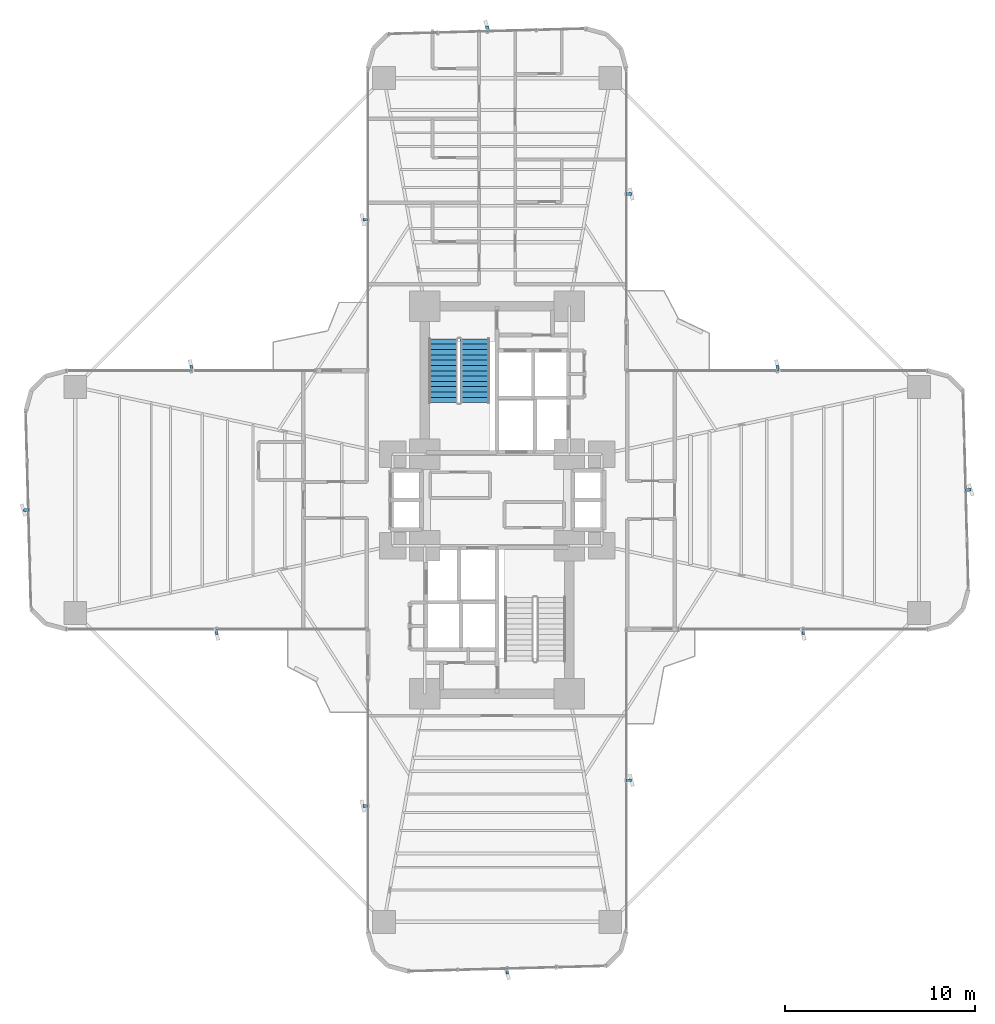
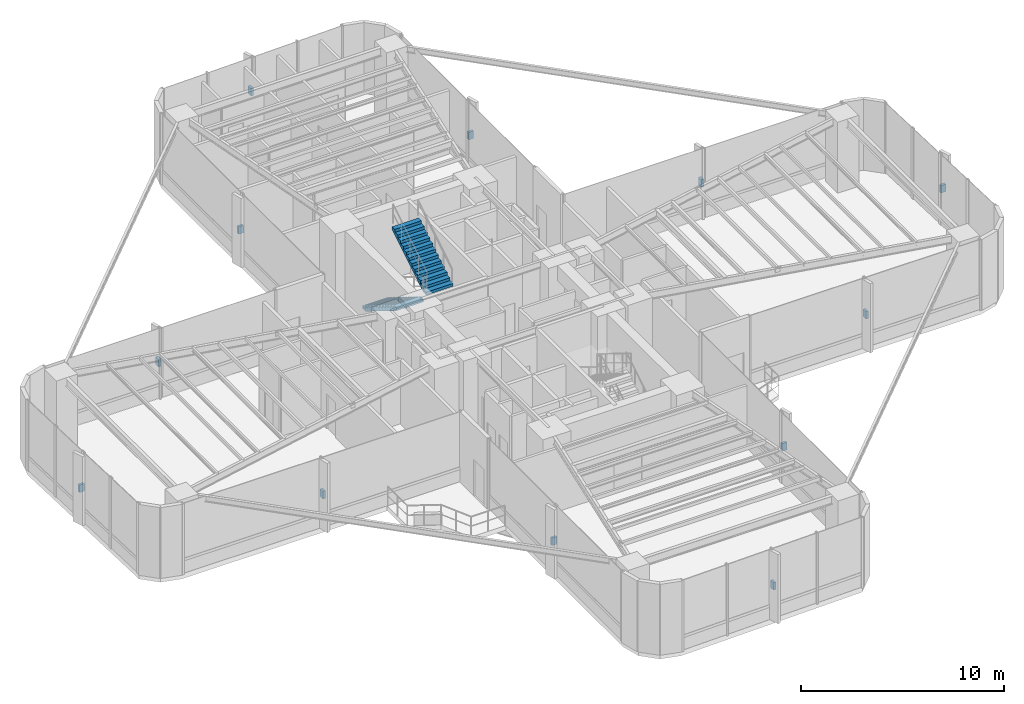
# One storey, part 19 of 20: 12 discrete accessories, 2 stair flights, 1 element without a shape of its own.
"""IFC4 building model written with IfcOpenShell, lengths in metres."""

import ifcopenshell
import ifcopenshell.guid

model = None  # the IFC model being written
_history = None  # IfcOwnerHistory: only IFC2X3 demands one
_inside = {}  # id of a spatial element -> (the spatial element, [elements in it])
_under = {}  # id of a project, library or spatial element -> (it, [spatial elements below it])
_declared = {}  # id of a project -> (the project, [libraries it declares])
_typed = {}  # id of a type object -> (the type object, [elements of that type])
_made_of = {}  # id of a material, layer set ... -> (it, [elements and type objects made of it])


def new_model(schema):
    """Start an empty IFC model of exactly this schema.

    Asked for "IFC4X3", IfcOpenShell would pick the latest addendum, in which some entities
    have other attributes; the version numbers below select the first issue.
    IFC2X3 requires an IfcOwnerHistory on every rooted entity: one is made here for all.
    """
    global model, _history
    if schema == "IFC4X3":
        model = ifcopenshell.file(schema_version=(4, 3, 0, 0))
    else:
        model = ifcopenshell.file(schema=schema)
    _inside.clear()
    _under.clear()
    _declared.clear()
    _typed.clear()
    _made_of.clear()
    _history = None
    if model.schema == "IFC2X3":
        org = make("IfcOrganization", Name="unknown")
        user = make(
            "IfcPersonAndOrganization",
            ThePerson=make("IfcPerson", FamilyName="unknown"),
            TheOrganization=org,
        )
        app = make(
            "IfcApplication",
            ApplicationDeveloper=org,
            Version="unknown",
            ApplicationFullName="unknown",
            ApplicationIdentifier="unknown",
        )
        _history = make(
            "IfcOwnerHistory",
            OwningUser=user,
            OwningApplication=app,
            ChangeAction="ADDED",
            CreationDate=0,
        )
    return model


def make(cls, **values):
    """One entity of the class cls with the attributes given. An attribute that is None is left unset."""
    return model.create_entity(
        cls, **{name: value for name, value in values.items() if value is not None}
    )


def rooted(cls, **values):
    """An entity with a GlobalId (a new one), such as an element, a storey or a relation."""
    return make(cls, GlobalId=ifcopenshell.guid.new(), OwnerHistory=_history, **values)


def si_unit(unit_type, name, prefix=None):
    """IfcSIUnit, for example si_unit("LENGTHUNIT", "METRE", prefix="MILLI")."""
    return make("IfcSIUnit", UnitType=unit_type, Prefix=prefix, Name=name)


def assignment(units):
    """IfcUnitAssignment: the units of a project."""
    return None if units is None else make("IfcUnitAssignment", Units=units)


def point(xyz):
    """IfcCartesianPoint."""
    return None if xyz is None else make("IfcCartesianPoint", Coordinates=xyz)


def direction(xyz):
    """IfcDirection."""
    return None if xyz is None else make("IfcDirection", DirectionRatios=xyz)


def frame(location, z_axis=None, x_axis=None):
    """IfcAxis2Placement3D, a coordinate frame: its origin and axes. An axis left out is left unset."""
    return make(
        "IfcAxis2Placement3D",
        Location=point(location),
        Axis=direction(z_axis),
        RefDirection=direction(x_axis),
    )


def frame_2d(location, x_axis=None):
    """IfcAxis2Placement2D, a coordinate frame in the plane: its origin and x axis."""
    return make(
        "IfcAxis2Placement2D", Location=point(location), RefDirection=direction(x_axis)
    )


def origin():
    """The frame at (0, 0, 0) with its axes left unset."""
    return frame((0.0, 0.0, 0.0))


def origin_2d():
    """The frame at (0, 0) in the plane with its x axis left unset."""
    return frame_2d((0.0, 0.0))


def place(relative_to, where):
    """IfcLocalPlacement: puts the frame where relative to a parent placement (None: the world)."""
    return make(
        "IfcLocalPlacement", PlacementRelTo=relative_to, RelativePlacement=where
    )


def context(
    kind, dimensions, precision=None, world=None, true_north=None, identifier=None
):
    """IfcGeometricRepresentationContext, for example the 3D "Model" context."""
    return make(
        "IfcGeometricRepresentationContext",
        ContextIdentifier=identifier,
        ContextType=kind,
        CoordinateSpaceDimension=dimensions,
        Precision=precision,
        WorldCoordinateSystem=world,
        TrueNorth=true_north,
    )


def subcontext(parent, identifier, kind, view, scale=None):
    """IfcGeometricRepresentationSubContext, for example "Body" below "Model"."""
    return make(
        "IfcGeometricRepresentationSubContext",
        ContextIdentifier=identifier,
        ContextType=kind,
        ParentContext=parent,
        TargetScale=scale,
        TargetView=view,
    )


def project(units=None, contexts=None):
    """IfcProject with its units and contexts."""
    return rooted(
        "IfcProject",
        Name="project",
        RepresentationContexts=contexts,
        UnitsInContext=assignment(units),
    )


def spatial(cls, under=None, at=None, **own):
    """A site, building, storey or space (cls), placed at a placement, below another one or the project."""
    s = rooted(cls, ObjectPlacement=at, **own)
    if under is not None:
        _under.setdefault(under.id(), (under, []))[1].append(s)
    return s


def polyline(points):
    """IfcPolyline through the points."""
    return make("IfcPolyline", Points=[point(p) for p in points])


def profile(cls, at=None, kind="AREA", **sizes):
    """A parametric profile (cls). Its sizes go by their IFC names, for example OverallWidth=200.0."""
    return make(cls, ProfileType=kind, Position=at, **sizes)


def rectangle(**sizes):
    """IfcRectangleProfileDef."""
    return profile("IfcRectangleProfileDef", **sizes)


def outline(outer, holes=None, kind="AREA"):
    """IfcArbitraryClosedProfileDef: a profile drawn as a closed curve; with holes, ...WithVoids."""
    if holes is None:
        return make("IfcArbitraryClosedProfileDef", ProfileType=kind, OuterCurve=outer)
    return make(
        "IfcArbitraryProfileDefWithVoids",
        ProfileType=kind,
        OuterCurve=outer,
        InnerCurves=holes,
    )


def extrude(swept, where, along, depth):
    """IfcExtrudedAreaSolid: the profile swept, set in the frame where, extruded along a direction by depth."""
    return make(
        "IfcExtrudedAreaSolid",
        SweptArea=swept,
        Position=where,
        ExtrudedDirection=direction(along),
        Depth=depth,
    )


def shape(context_of_items, identifier, shape_type, items):
    """IfcShapeRepresentation: the items that make up one representation, for example the "Body"."""
    return make(
        "IfcShapeRepresentation",
        ContextOfItems=context_of_items,
        RepresentationIdentifier=identifier,
        RepresentationType=shape_type,
        Items=items,
    )


def source(mapping_origin, context_of_items, identifier, shape_type, items):
    """IfcRepresentationMap: a shape defined once, which mapped items show again and again."""
    return make(
        "IfcRepresentationMap",
        MappingOrigin=mapping_origin,
        MappedRepresentation=shape(context_of_items, identifier, shape_type, items),
    )


def transform(
    local_origin,
    x_axis=None,
    y_axis=None,
    z_axis=None,
    scale=None,
    scale2=None,
    scale3=None,
    uniform=True,
):
    """IfcCartesianTransformationOperator3D, or its non-uniform kind. x_axis, y_axis, z_axis: its Axis1, 2, 3."""
    if uniform:
        return make(
            "IfcCartesianTransformationOperator3D",
            Axis1=direction(x_axis),
            Axis2=direction(y_axis),
            LocalOrigin=point(local_origin),
            Scale=scale,
            Axis3=direction(z_axis),
        )
    return make(
        "IfcCartesianTransformationOperator3DnonUniform",
        Axis1=direction(x_axis),
        Axis2=direction(y_axis),
        LocalOrigin=point(local_origin),
        Scale=scale,
        Axis3=direction(z_axis),
        Scale2=scale2,
        Scale3=scale3,
    )


def mapped(mapping_source, mapping_target):
    """IfcMappedItem: shows the shape of a source again, moved by a transform."""
    return make(
        "IfcMappedItem", MappingSource=mapping_source, MappingTarget=mapping_target
    )


def material(Name=None, Category=None):
    """IfcMaterial."""
    return make("IfcMaterial", Name=Name, Category=Category)


def made_of(thing, what):
    """Note that an element or type object is made of a material, layer set ...; save() writes the relation."""
    if what is not None:
        _made_of.setdefault(what.id(), (what, []))[1].append(thing)
    return thing


def type_object(cls, material=None, **own):
    """A type object (cls), such as IfcWallType, which elements share."""
    return made_of(rooted(cls, **own), material)


def element(
    cls,
    number,
    at=None,
    inside=None,
    cuts=None,
    type_object=None,
    material=None,
    context=None,
    identifier="Body",
    shape_type=None,
    held_by="IfcProductDefinitionShape",
    body=None,
    shapes=None,
    **own,
):
    """One element of the class cls, such as IfcWall. Its Tag is "e" and its number.

    at: its placement. inside: the storey or other place that contains it. cuts: it is an
    opening in that element (IfcRelVoidsElement). A single representation is given by context,
    identifier, shape_type and body (its items); several are given by shapes. held_by: the class
    of the entity that holds the representations. save() writes the other relations.
    """
    e = rooted(cls, Tag="e%d" % number, ObjectPlacement=at, **own)
    if body is not None:
        shapes = [shape(context, identifier, shape_type, body)]
    if shapes is not None:
        e.Representation = make(held_by, Representations=shapes)
    if inside is not None:
        _inside.setdefault(inside.id(), (inside, []))[1].append(e)
    if cuts is not None:
        rooted(
            "IfcRelVoidsElement", RelatingBuildingElement=cuts, RelatedOpeningElement=e
        )
    if type_object is not None:
        _typed.setdefault(type_object.id(), (type_object, []))[1].append(e)
    return made_of(e, material)


def aggregate(whole, parts):
    """IfcRelAggregates: a whole, such as a stair, and the parts it consists of."""
    return rooted("IfcRelAggregates", RelatingObject=whole, RelatedObjects=parts)


def save(model, path):
    """Write the relations noted so far, then the file.

    IfcRelAggregates (storeys below a building ...), IfcRelContainedInSpatialStructure (elements
    in a storey), IfcRelDefinesByType, IfcRelAssociatesMaterial and IfcRelDeclares: one each for
    every whole, place, type object, material and project.
    """
    for whole, parts in _under.values():
        aggregate(whole, parts)
    for where, things in _inside.values():
        rooted(
            "IfcRelContainedInSpatialStructure",
            RelatedElements=things,
            RelatingStructure=where,
        )
    for kind, things in _typed.values():
        rooted("IfcRelDefinesByType", RelatedObjects=things, RelatingType=kind)
    for what, things in _made_of.values():
        rooted("IfcRelAssociatesMaterial", RelatedObjects=things, RelatingMaterial=what)
    for by, libraries in _declared.values():
        rooted("IfcRelDeclares", RelatingContext=by, RelatedDefinitions=libraries)
    model.write(path)


model = new_model("IFC4")

# Units and contexts
model_context = context("Model", 3, precision=1e-05, world=origin(), true_north=direction((0.0, 1.0)))
body_context = subcontext(model_context, "Body", "Model", "MODEL_VIEW")
ifc_project = project(units=[si_unit("LENGTHUNIT", "METRE"), si_unit("AREAUNIT", "SQUARE_METRE"), si_unit("VOLUMEUNIT", "CUBIC_METRE"), si_unit("PLANEANGLEUNIT", "RADIAN"), si_unit("MASSUNIT", "GRAM", prefix="KILO")], contexts=[model_context])

# Site, building, storey
site_placement = place(None, origin())
site = spatial("IfcSite", under=ifc_project, at=site_placement, CompositionType="ELEMENT")
building_placement = place(site_placement, origin())
building = spatial("IfcBuilding", under=site, at=building_placement, Name="Sahyath Konkavel Grand Hotel", CompositionType="ELEMENT")
storey_placement = place(building_placement, frame((0.0, 0.0, 46.550048828125)))
storey = spatial("IfcBuildingStorey", under=building, at=storey_placement, Name="L12", CompositionType="ELEMENT", Elevation=46.550048828125)

# Stair, stair flights
ifc_material_1 = material(Name="Concrete C40/50", Category="concrete")
stair_type = type_object("IfcStairType", Name="STR-ST16-450", PredefinedType="HALF_TURN_STAIR", material=ifc_material_1)
stair_placement = place(storey_placement, origin())
stair = element("IfcStair", 1, at=stair_placement, inside=storey, type_object=stair_type, Name="L12 North Core Smokeproof Exit Stair ST-1", PredefinedType="HALF_TURN_STAIR")
stair_flight_type = type_object("IfcStairFlightType", Name="STF-ST16-450", PredefinedType="STRAIGHT", material=ifc_material_1)
stair_flight_1_placement = place(storey_placement, frame((-2.840087890625, 8.47998046875, 0.0), z_axis=(0.0, 0.0, 1.0), x_axis=(0.0, -1.0, 0.0)))
stair_flight_1 = element("IfcStairFlight", 2, at=stair_flight_1_placement, type_object=stair_flight_type, Name="ST-1 flight 1", NumberOfRisers=13, NumberOfTreads=12, PredefinedType="STRAIGHT", RiserHeight=0.173076923, TreadLength=0.28, context=body_context, shape_type="SweptSolid", body=[
    extrude(outline(polyline([(0.0, 0.0), (0.0, 0.173095703125), (0.280029296875, 0.173095703125), (0.280029296875, 0.34619140625), (0.56005859375, 0.34619140625), (0.56005859375, 0.519287109375), (0.840087890625, 0.519287109375), (0.840087890625, 0.6923828125), (1.1201171875, 0.6923828125), (1.1201171875, 0.865478515625), (1.39990234375, 0.865478515625), (1.39990234375, 1.03857421875), (1.679931640625, 1.03857421875), (1.679931640625, 1.21142578125), (1.9599609375, 1.21142578125), (1.9599609375, 1.384521484375), (2.239990234375, 1.384521484375), (2.239990234375, 1.5576171875), (2.52001953125, 1.5576171875), (2.52001953125, 1.730712890625), (2.800048828125, 1.730712890625), (2.800048828125, 1.90380859375), (3.080078125, 1.90380859375), (3.080078125, 2.076904296875), (3.360107421875, 2.076904296875), (3.360107421875, 2.25), (3.360107421875, 1.900634765625), (0.28515625, 0.0), (0.0, 0.0)])), frame((0.0, 0.760009765625, 0.0), z_axis=(0.0, -1.0, 0.0), x_axis=(1.0, 0.0, 0.0)), (0.0, 0.0, 1.0), 1.52001953125),
])
stair_flight_2_placement = place(storey_placement, frame((-1.159912109375, 5.1201171875, 2.25), z_axis=(0.0, 0.0, 1.0), x_axis=(0.0, 1.0, 0.0)))
stair_flight_2 = element("IfcStairFlight", 3, at=stair_flight_2_placement, type_object=stair_flight_type, Name="ST-1 flight 2", NumberOfRisers=13, NumberOfTreads=12, PredefinedType="STRAIGHT", RiserHeight=0.173076923, TreadLength=0.28, context=body_context, shape_type="SweptSolid", body=[
    extrude(outline(polyline([(0.0, 0.0), (0.0, 0.173095703125), (0.280029296875, 0.173095703125), (0.280029296875, 0.34619140625), (0.56005859375, 0.34619140625), (0.56005859375, 0.519287109375), (0.840087890625, 0.519287109375), (0.840087890625, 0.6923828125), (1.1201171875, 0.6923828125), (1.1201171875, 0.865478515625), (1.39990234375, 0.865478515625), (1.39990234375, 1.03857421875), (1.679931640625, 1.03857421875), (1.679931640625, 1.21142578125), (1.9599609375, 1.21142578125), (1.9599609375, 1.384521484375), (2.239990234375, 1.384521484375), (2.239990234375, 1.5576171875), (2.52001953125, 1.5576171875), (2.52001953125, 1.730712890625), (2.800048828125, 1.730712890625), (2.800048828125, 1.90380859375), (3.080078125, 1.90380859375), (3.080078125, 2.076904296875), (3.360107421875, 2.076904296875), (3.360107421875, 2.25), (3.360107421875, 1.900634765625), (0.28515625, 0.0), (0.0, 0.0)])), frame((0.0, 0.760009765625, 0.0), z_axis=(0.0, -1.0, 0.0), x_axis=(1.0, 0.0, 0.0)), (0.0, 0.0, 1.0), 1.52001953125),
])
aggregate(stair, [stair_flight_1, stair_flight_2])

# Discrete accessories
ifc_material_2 = material(Name="Steel E350", Category="steel")
discrete_accessory_type = type_object("IfcDiscreteAccessoryType", Name="ACC-FIN-BRACKET", PredefinedType="BRACKET", material=ifc_material_2)
shared_shape = source(origin(), body_context, "Body", "SweptSolid", [
    extrude(rectangle(XDim=0.280029296875, YDim=0.139892578125, at=origin_2d()), origin(), (0.0, 0.0, 1.0), 0.449951171875),
])
for number, where, z_axis, x_axis, name in (
    (4, (16.10009765625, -6.929931640625, 1.90478515625), (0.0, 0.0, 1.0), (0.0, -1.0, 0.0), "L12 Fin Support Bracket F0-1"),
    (5, (24.789306640625, 0.528564453125, 1.90478515625), (0.0, 0.0, 1.0), (0.999637867691, 0.026909728301, 0.0), "L12 Fin Support Bracket F4-2"),
    (6, (14.75, 6.929931640625, 1.90478515625), (0.0, 0.0, 1.0), (0.0, 1.0, 0.0), "L12 Fin Support Bracket F7-1"),
    (7, (6.929931640625, 16.10009765625, 1.90478515625), (0.0, 0.0, 1.0), (1.0, 0.0, 0.0), "L12 Fin Support Bracket F8-1"),
    (8, (-0.528564453125, 24.789306640625, 1.90478515625), (0.0, 0.0, 1.0), (-0.026909728301, 0.999637867691, 0.0), "L12 Fin Support Bracket F12-2"),
    (9, (-6.929931640625, 14.75, 1.90478515625), (0.0, 0.0, 1.0), (-1.0, 0.0, 0.0), "L12 Fin Support Bracket F15-1"),
    (10, (-16.10009765625, 6.929931640625, 1.90478515625), (0.0, 0.0, 1.0), (0.0, 1.0, 0.0), "L12 Fin Support Bracket F16-1"),
    (11, (-24.789306640625, -0.528564453125, 1.90478515625), (0.0, 0.0, 1.0), (-0.999637867691, -0.026909728301, 0.0), "L12 Fin Support Bracket F20-2"),
    (12, (-14.75, -6.929931640625, 1.90478515625), (0.0, 0.0, 1.0), (0.0, -1.0, 0.0), "L12 Fin Support Bracket F23-1"),
    (13, (-6.929931640625, -16.10009765625, 1.90478515625), (0.0, 0.0, 1.0), (-1.0, 0.0, 0.0), "L12 Fin Support Bracket F24-1"),
    (14, (0.528564453125, -24.789306640625, 1.90478515625), (0.0, 0.0, 1.0), (0.026909728301, -0.999637867691, 0.0), "L12 Fin Support Bracket F28-2"),
    (15, (6.929931640625, -14.75, 1.90478515625), (0.0, 0.0, 1.0), (1.0, 0.0, 0.0), "L12 Fin Support Bracket F31-1"),
):
    element("IfcDiscreteAccessory", number, at=place(storey_placement, frame(where, z_axis=z_axis, x_axis=x_axis)), inside=storey, type_object=discrete_accessory_type, Name=name, PredefinedType="BRACKET", context=body_context, shape_type="MappedRepresentation", body=[
        mapped(shared_shape, transform((0.0, 0.0, 0.0), scale=1.0)),
    ])

save(model, "model.ifc")
